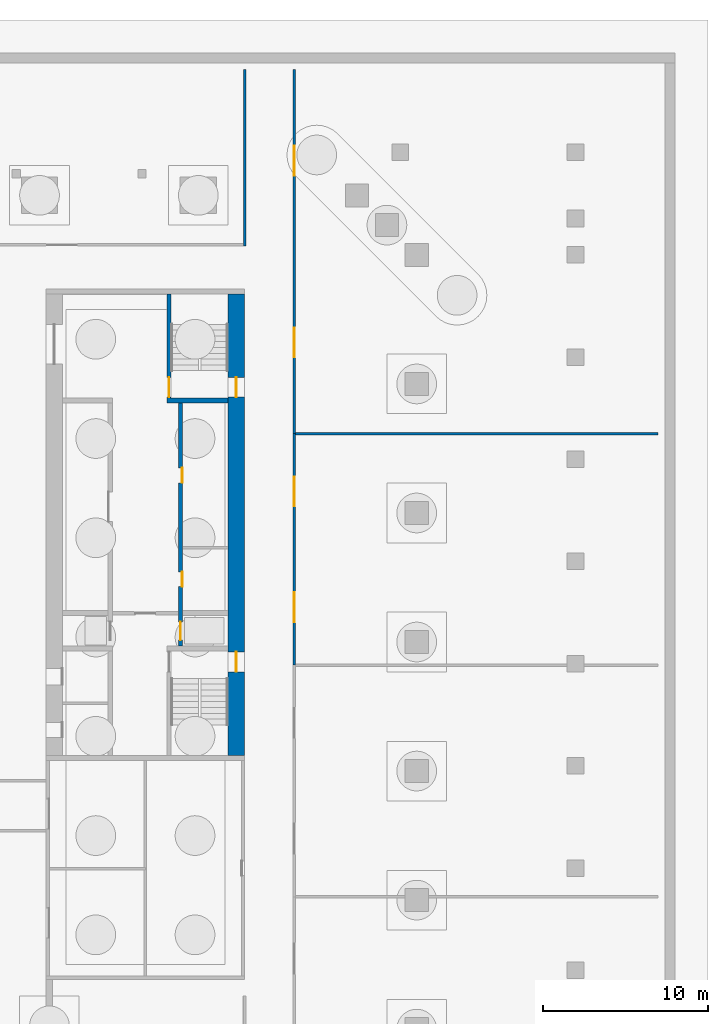
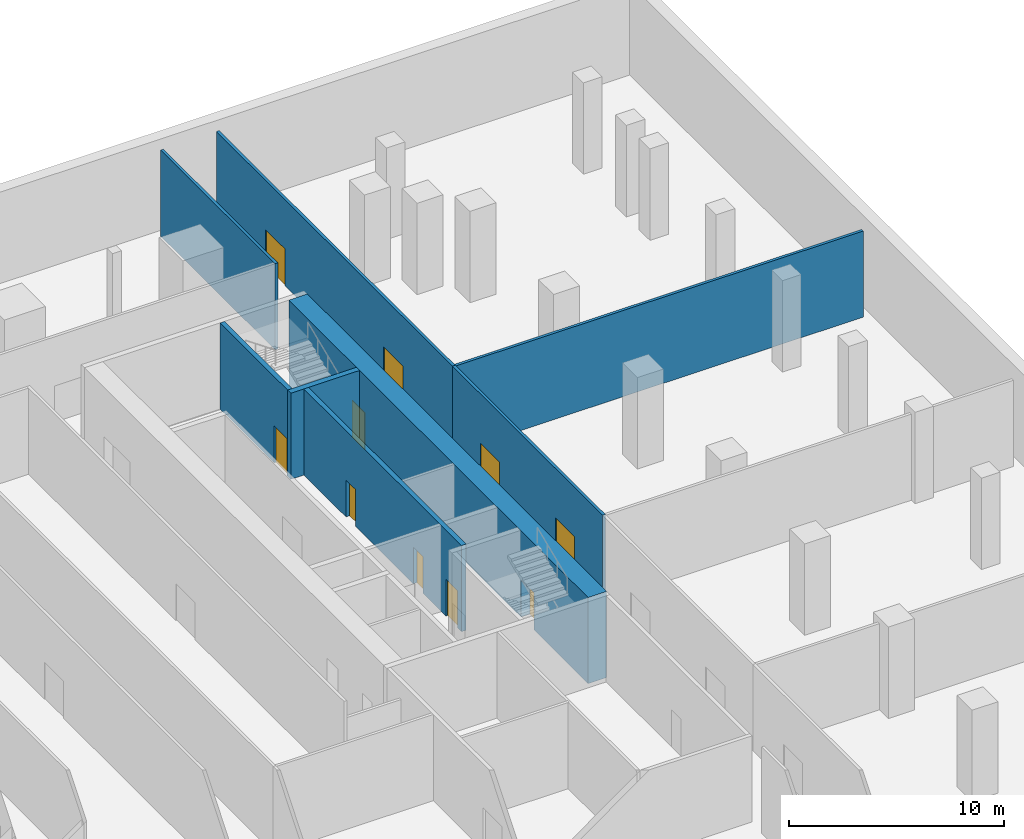
# One storey, part 11 of 14: 10 doors, 8 walls, 10 openings.
"""IFC4 building model written with IfcOpenShell, lengths in metres."""

from ifc_helpers import new_model, si_unit, direction, frame, frame_2d, origin, place, context, subcontext, project, spatial, rectangle, extrude, material, layer, layer_set, type_object, element, fill, save


model = new_model("IFC4")

# Units and contexts
model_context = context("Model", 3, precision=1e-05, world=origin(), true_north=direction((0.0, 1.0)))
body_context = subcontext(model_context, "Body", "Model", "MODEL_VIEW")
ifc_project = project(units=[si_unit("LENGTHUNIT", "METRE"), si_unit("AREAUNIT", "SQUARE_METRE"), si_unit("VOLUMEUNIT", "CUBIC_METRE"), si_unit("PLANEANGLEUNIT", "RADIAN"), si_unit("MASSUNIT", "GRAM", prefix="KILO")], contexts=[model_context])

# Site, building, storey
site_placement = place(None, origin())
site = spatial("IfcSite", under=ifc_project, at=site_placement, CompositionType="ELEMENT")
building_placement = place(site_placement, origin())
building = spatial("IfcBuilding", under=site, at=building_placement, Name="Ogive Exchange Tower", CompositionType="ELEMENT")
storey_placement = place(building_placement, frame((0.0, 0.0, -10.39990234375)))
storey = spatial("IfcBuildingStorey", under=building, at=storey_placement, Name="B2", CompositionType="ELEMENT", Elevation=-10.39990234375)

# Walls
ifc_material_1 = material(Name="Fire partition EI 60 150")
ifc_layer_1 = layer(ifc_material_1, 0.14990234375)
ifc_layer_set_1 = layer_set([ifc_layer_1], Name="Fire partition EI 60 150")
wall_type_1 = type_object("IfcWallType", Name="Fire partition EI 60 150", PredefinedType="PARTITIONING", material=ifc_layer_set_1)
wall_1_placement = place(storey_placement, frame((25.074951171875, 17.0, 0.0), z_axis=(0.0, 0.0, 1.0), x_axis=(1.0, 0.0, 0.0)))
element("IfcWall", 1, at=wall_1_placement, inside=storey, type_object=wall_type_1, Name="B2-PWL-032", PredefinedType="PARTITIONING", context=body_context, shape_type="SweptSolid", body=[
    extrude(rectangle(XDim=21.925048828125, YDim=0.14990234375, at=frame_2d((10.96240234375, 0.0))), origin(), (0.0, 0.0, 1.0), 4.89990234375),
])
wall_2_placement = place(storey_placement, frame((22.0, 28.324951171875, 0.0), z_axis=(0.0, 0.0, 1.0), x_axis=(0.0, 1.0, 0.0)))
element("IfcWall", 2, at=wall_2_placement, inside=storey, type_object=wall_type_1, Name="B2-PWL-066", PredefinedType="PARTITIONING", context=body_context, shape_type="SweptSolid", body=[
    extrude(rectangle(XDim=10.675048828125, YDim=0.14990234375, at=frame_2d((5.33740234375, 0.0))), origin(), (0.0, 0.0, 1.0), 4.89990234375),
])

# Wall, openings, doors
wall_3_placement = place(storey_placement, frame((25.0, 3.0, 0.0), z_axis=(0.0, 0.0, 1.0), x_axis=(0.0, 1.0, 0.0)))
wall_3 = element("IfcWall", 3, at=wall_3_placement, inside=storey, type_object=wall_type_1, Name="B2-PWL-073", PredefinedType="PARTITIONING", context=body_context, shape_type="SweptSolid", body=[
    extrude(rectangle(XDim=14.0, YDim=0.14990234375, at=frame_2d((7.0, 0.0))), origin(), (0.0, 0.0, 1.0), 4.89990234375),
])
opening_1_placement = place(wall_3_placement, frame((2.60009765625, 0.0, 0.0)))
opening_1 = element("IfcOpeningElement", 4, at=opening_1_placement, cuts=wall_3, Name="Opening B2-I16", PredefinedType="OPENING", context=body_context, shape_type="SweptSolid", body=[
    extrude(rectangle(XDim=1.800048828125, YDim=2.10009765625, at=frame_2d((0.89990234375, 1.050048828125))), frame((0.0, 0.0849609375, 0.0), z_axis=(0.0, -1.0, 0.0), x_axis=(1.0, 0.0, 0.0)), (0.0, 0.0, 1.0), 0.169921875),
])
opening_2_placement = place(wall_3_placement, frame((9.60009765625, 0.0, 0.0)))
opening_2 = element("IfcOpeningElement", 5, at=opening_2_placement, cuts=wall_3, Name="Opening B2-I17", PredefinedType="OPENING", context=body_context, shape_type="SweptSolid", body=[
    extrude(rectangle(XDim=1.800048828125, YDim=2.10009765625, at=frame_2d((0.89990234375, 1.050048828125))), frame((0.0, 0.0849609375, 0.0), z_axis=(0.0, -1.0, 0.0), x_axis=(1.0, 0.0, 0.0)), (0.0, 0.0, 1.0), 0.169921875),
])
ifc_material_2 = material(Name="Fire door FD 30S 1800 x 2100")
door_type_1 = type_object("IfcDoorType", Name="Fire door FD 30S 1800 x 2100", OperationType="DOUBLE_DOOR_SINGLE_SWING", PredefinedType="DOOR", material=ifc_material_2)
door_1_placement = place(opening_1_placement, origin())
door_1 = element("IfcDoor", 6, at=door_1_placement, inside=storey, type_object=door_type_1, Name="B2-IDR-016", ObjectType="DT4", OperationType="SINGLE_SWING_LEFT", OverallHeight=2.10009765625, OverallWidth=1.800048828125, PredefinedType="DOOR", context=body_context, shape_type="SweptSolid", body=[
    extrude(rectangle(XDim=1.800048828125, YDim=2.10009765625, at=frame_2d((0.89990234375, 1.050048828125))), frame((0.0, 0.02490234375, 0.0), z_axis=(0.0, -1.0, 0.0), x_axis=(1.0, 0.0, 0.0)), (0.0, 0.0, 1.0), 0.050048828125),
])
fill(opening_1, door_1)
door_2_placement = place(opening_2_placement, origin())
door_2 = element("IfcDoor", 7, at=door_2_placement, inside=storey, type_object=door_type_1, Name="B2-IDR-017", ObjectType="DT4", OperationType="SINGLE_SWING_LEFT", OverallHeight=2.10009765625, OverallWidth=1.800048828125, PredefinedType="DOOR", context=body_context, shape_type="SweptSolid", body=[
    extrude(rectangle(XDim=1.800048828125, YDim=2.10009765625, at=frame_2d((0.89990234375, 1.050048828125))), frame((0.0, 0.02490234375, 0.0), z_axis=(0.0, -1.0, 0.0), x_axis=(1.0, 0.0, 0.0)), (0.0, 0.0, 1.0), 0.050048828125),
])
fill(opening_2, door_2)

wall_4_placement = place(storey_placement, frame((25.0, 17.0, 0.0), z_axis=(0.0, 0.0, 1.0), x_axis=(0.0, 1.0, 0.0)))
wall_4 = element("IfcWall", 8, at=wall_4_placement, inside=storey, type_object=wall_type_1, Name="B2-PWL-074", PredefinedType="PARTITIONING", context=body_context, shape_type="SweptSolid", body=[
    extrude(rectangle(XDim=22.0, YDim=0.14990234375, at=frame_2d((11.0, 0.0))), origin(), (0.0, 0.0, 1.0), 4.89990234375),
])
opening_3_placement = place(wall_4_placement, frame((4.60009765625, 0.0, 0.0)))
opening_3 = element("IfcOpeningElement", 9, at=opening_3_placement, cuts=wall_4, Name="Opening B2-I18", PredefinedType="OPENING", context=body_context, shape_type="SweptSolid", body=[
    extrude(rectangle(XDim=1.800048828125, YDim=2.10009765625, at=frame_2d((0.89990234375, 1.050048828125))), frame((0.0, 0.0849609375, 0.0), z_axis=(0.0, -1.0, 0.0), x_axis=(1.0, 0.0, 0.0)), (0.0, 0.0, 1.0), 0.169921875),
])
opening_4_placement = place(wall_4_placement, frame((15.60009765625, 0.0, 0.0)))
opening_4 = element("IfcOpeningElement", 10, at=opening_4_placement, cuts=wall_4, Name="Opening B2-I19", PredefinedType="OPENING", context=body_context, shape_type="SweptSolid", body=[
    extrude(rectangle(XDim=1.800048828125, YDim=2.10009765625, at=frame_2d((0.89990234375, 1.050048828125))), frame((0.0, 0.0849609375, 0.0), z_axis=(0.0, -1.0, 0.0), x_axis=(1.0, 0.0, 0.0)), (0.0, 0.0, 1.0), 0.169921875),
])
door_3_placement = place(opening_3_placement, origin())
door_3 = element("IfcDoor", 11, at=door_3_placement, inside=storey, type_object=door_type_1, Name="B2-IDR-018", ObjectType="DT4", OperationType="SINGLE_SWING_RIGHT", OverallHeight=2.10009765625, OverallWidth=1.800048828125, PredefinedType="DOOR", context=body_context, shape_type="SweptSolid", body=[
    extrude(rectangle(XDim=1.800048828125, YDim=2.10009765625, at=frame_2d((0.89990234375, 1.050048828125))), frame((0.0, 0.02490234375, 0.0), z_axis=(0.0, -1.0, 0.0), x_axis=(1.0, 0.0, 0.0)), (0.0, 0.0, 1.0), 0.050048828125),
])
fill(opening_3, door_3)
door_4_placement = place(opening_4_placement, origin())
door_4 = element("IfcDoor", 12, at=door_4_placement, inside=storey, type_object=door_type_1, Name="B2-IDR-019", ObjectType="DT4", OperationType="SINGLE_SWING_RIGHT", OverallHeight=2.10009765625, OverallWidth=1.800048828125, PredefinedType="DOOR", context=body_context, shape_type="SweptSolid", body=[
    extrude(rectangle(XDim=1.800048828125, YDim=2.10009765625, at=frame_2d((0.89990234375, 1.050048828125))), frame((0.0, 0.02490234375, 0.0), z_axis=(0.0, -1.0, 0.0), x_axis=(1.0, 0.0, 0.0)), (0.0, 0.0, 1.0), 0.050048828125),
])
fill(opening_4, door_4)

ifc_material_3 = material(Name="Concrete C70/85", Category="concrete")
ifc_layer_2 = layer(ifc_material_3, 1.0)
ifc_layer_set_2 = layer_set([ifc_layer_2], Name="RC core wall 1000 C70/85")
wall_type_2 = type_object("IfcWallType", Name="RC core wall 1000 C70/85", PredefinedType="SHEAR", material=ifc_layer_set_2)
wall_5_placement = place(storey_placement, frame((21.5, -2.449951171875, 0.0), z_axis=(0.0, 0.0, 1.0), x_axis=(0.0, 1.0, 0.0)))
wall_5 = element("IfcWall", 13, at=wall_5_placement, inside=storey, type_object=wall_type_2, Name="E outer wall", PredefinedType="SHEAR", context=body_context, shape_type="SweptSolid", body=[
    extrude(rectangle(XDim=27.89990234375, YDim=1.0, at=frame_2d((13.949951171875, 0.0))), origin(), (0.0, 0.0, 1.0), 4.89990234375),
])
opening_5_placement = place(wall_5_placement, frame((5.050048828125, 0.0, 0.0)))
opening_5 = element("IfcOpeningElement", 14, at=opening_5_placement, cuts=wall_5, Name="Opening B2-C24", PredefinedType="OPENING", context=body_context, shape_type="SweptSolid", body=[
    extrude(rectangle(XDim=1.199951171875, YDim=2.10009765625, at=frame_2d((0.60009765625, 1.050048828125))), frame((0.0, 0.510009765625, 0.0), z_axis=(0.0, -1.0, 0.0), x_axis=(1.0, 0.0, 0.0)), (0.0, 0.0, 1.0), 1.02001953125),
])
opening_6_placement = place(wall_5_placement, frame((21.64990234375, 0.0, 0.0)))
opening_6 = element("IfcOpeningElement", 15, at=opening_6_placement, cuts=wall_5, Name="Opening B2-C26", PredefinedType="OPENING", context=body_context, shape_type="SweptSolid", body=[
    extrude(rectangle(XDim=1.199951171875, YDim=2.10009765625, at=frame_2d((0.60009765625, 1.050048828125))), frame((0.0, 0.510009765625, 0.0), z_axis=(0.0, -1.0, 0.0), x_axis=(1.0, 0.0, 0.0)), (0.0, 0.0, 1.0), 1.02001953125),
])
ifc_material_4 = material(Name="Steel fire door", Category="steel")
door_type_2 = type_object("IfcDoorType", Name="Stair door FD90 1200 x 2100", OperationType="NOTDEFINED", PredefinedType="DOOR", material=ifc_material_4)
door_5_placement = place(opening_5_placement, origin())
door_5 = element("IfcDoor", 16, at=door_5_placement, inside=storey, type_object=door_type_2, Name="Stair door", ObjectType="CD5", OperationType="SINGLE_SWING_LEFT", OverallHeight=2.10009765625, OverallWidth=1.199951171875, PredefinedType="DOOR", context=body_context, shape_type="SweptSolid", body=[
    extrude(rectangle(XDim=1.199951171875, YDim=2.10009765625, at=frame_2d((0.60009765625, 1.050048828125))), frame((0.0, 0.02490234375, 0.0), z_axis=(0.0, -1.0, 0.0), x_axis=(1.0, 0.0, 0.0)), (0.0, 0.0, 1.0), 0.050048828125),
])
fill(opening_5, door_5)
door_6_placement = place(opening_6_placement, origin())
door_6 = element("IfcDoor", 17, at=door_6_placement, inside=storey, type_object=door_type_2, Name="Stair door", ObjectType="CD5", OperationType="SINGLE_SWING_RIGHT", OverallHeight=2.10009765625, OverallWidth=1.199951171875, PredefinedType="DOOR", context=body_context, shape_type="SweptSolid", body=[
    extrude(rectangle(XDim=1.199951171875, YDim=2.10009765625, at=frame_2d((0.60009765625, 1.050048828125))), frame((0.0, 0.02490234375, 0.0), z_axis=(0.0, -1.0, 0.0), x_axis=(1.0, 0.0, 0.0)), (0.0, 0.0, 1.0), 0.050048828125),
])
fill(opening_6, door_6)

# Wall, opening, door
ifc_layer_3 = layer(ifc_material_3, 0.25)
ifc_layer_set_3 = layer_set([ifc_layer_3], Name="RC core wall 250 C70/85")
wall_type_3 = type_object("IfcWallType", Name="RC core wall 250 C70/85", PredefinedType="SHEAR", material=ifc_layer_set_3)
wall_6_placement = place(storey_placement, frame((17.425048828125, 19.14990234375, 0.0), z_axis=(0.0, 0.0, 1.0), x_axis=(0.0, 1.0, 0.0)))
wall_6 = element("IfcWall", 18, at=wall_6_placement, inside=storey, type_object=wall_type_3, Name="E stair N front wall", PredefinedType="SHEAR", context=body_context, shape_type="SweptSolid", body=[
    extrude(rectangle(XDim=6.300048828125, YDim=0.25, at=frame_2d((3.14990234375, 0.0))), origin(), (0.0, 0.0, 1.0), 4.89990234375),
])
opening_7_placement = place(wall_6_placement, frame((0.050048828125, 0.0, 0.0)))
opening_7 = element("IfcOpeningElement", 19, at=opening_7_placement, cuts=wall_6, Name="Opening B2-C25", PredefinedType="OPENING", context=body_context, shape_type="SweptSolid", body=[
    extrude(rectangle(XDim=1.199951171875, YDim=2.10009765625, at=frame_2d((0.60009765625, 1.050048828125))), frame((0.0, 0.135009765625, 0.0), z_axis=(0.0, -1.0, 0.0), x_axis=(1.0, 0.0, 0.0)), (0.0, 0.0, 1.0), 0.27001953125),
])
door_7_placement = place(opening_7_placement, frame((1.199951171875, 0.0, 0.0), z_axis=(0.0, 0.0, 1.0), x_axis=(-1.0, 0.0, 0.0)))
door_7 = element("IfcDoor", 20, at=door_7_placement, inside=storey, type_object=door_type_2, Name="Stair door", ObjectType="CD5", OperationType="SINGLE_SWING_LEFT", OverallHeight=2.10009765625, OverallWidth=1.199951171875, PredefinedType="DOOR", context=body_context, shape_type="SweptSolid", body=[
    extrude(rectangle(XDim=1.199951171875, YDim=2.10009765625, at=frame_2d((0.60009765625, 1.050048828125))), frame((0.0, 0.02490234375, 0.0), z_axis=(0.0, -1.0, 0.0), x_axis=(1.0, 0.0, 0.0)), (0.0, 0.0, 1.0), 0.050048828125),
])
fill(opening_7, door_7)

# Wall, openings, doors
wall_7_placement = place(storey_placement, frame((18.125, 4.14990234375, 0.0), z_axis=(0.0, 0.0, 1.0), x_axis=(0.0, 1.0, 0.0)))
wall_7 = element("IfcWall", 21, at=wall_7_placement, inside=storey, type_object=wall_type_3, Name="E row A front wall", PredefinedType="SHEAR", context=body_context, shape_type="SweptSolid", body=[
    extrude(rectangle(XDim=14.7001953125, YDim=0.25, at=frame_2d((7.35009765625, 0.0))), origin(), (0.0, 0.0, 1.0), 4.89990234375),
])
opening_8_placement = place(wall_7_placement, frame((3.596435546875, 0.0, 0.0)))
opening_8 = element("IfcOpeningElement", 22, at=opening_8_placement, cuts=wall_7, Name="Opening B2-C16", PredefinedType="OPENING", context=body_context, shape_type="SweptSolid", body=[
    extrude(rectangle(XDim=0.89990234375, YDim=2.10009765625, at=frame_2d((0.449951171875, 1.050048828125))), frame((0.0, 0.135009765625, 0.0), z_axis=(0.0, -1.0, 0.0), x_axis=(1.0, 0.0, 0.0)), (0.0, 0.0, 1.0), 0.27001953125),
])
opening_9_placement = place(wall_7_placement, frame((9.875, 0.0, 0.0)))
opening_9 = element("IfcOpeningElement", 23, at=opening_9_placement, cuts=wall_7, Name="Opening B2-C17", PredefinedType="OPENING", context=body_context, shape_type="SweptSolid", body=[
    extrude(rectangle(XDim=0.89990234375, YDim=2.10009765625, at=frame_2d((0.449951171875, 1.050048828125))), frame((0.0, 0.135009765625, 0.0), z_axis=(0.0, -1.0, 0.0), x_axis=(1.0, 0.0, 0.0)), (0.0, 0.0, 1.0), 0.27001953125),
])
opening_10_placement = place(wall_7_placement, frame((0.371337890625, 0.0, 0.0)))
opening_10 = element("IfcOpeningElement", 24, at=opening_10_placement, cuts=wall_7, Name="Opening B2-C18", PredefinedType="OPENING", context=body_context, shape_type="SweptSolid", body=[
    extrude(rectangle(XDim=1.10009765625, YDim=2.10009765625, at=frame_2d((0.550048828125, 1.050048828125))), frame((0.0, 0.135009765625, 0.0), z_axis=(0.0, -1.0, 0.0), x_axis=(1.0, 0.0, 0.0)), (0.0, 0.0, 1.0), 0.27001953125),
])
ifc_material_5 = material(Name="Stainless steel", Category="steel")
door_type_3 = type_object("IfcDoorType", Name="Lift landing door FD90 1100 x 2100", OperationType="SLIDING_TO_LEFT", PredefinedType="DOOR", material=ifc_material_5)
door_8_placement = place(opening_10_placement, origin())
door_8 = element("IfcDoor", 25, at=door_8_placement, inside=storey, type_object=door_type_3, Name="Lift landing door FF2", ObjectType="LD", OperationType="SLIDING_TO_LEFT", OverallHeight=2.10009765625, OverallWidth=1.10009765625, PredefinedType="DOOR", context=body_context, shape_type="SweptSolid", body=[
    extrude(rectangle(XDim=1.10009765625, YDim=2.10009765625, at=frame_2d((0.550048828125, 1.050048828125))), frame((0.0, 0.02490234375, 0.0), z_axis=(0.0, -1.0, 0.0), x_axis=(1.0, 0.0, 0.0)), (0.0, 0.0, 1.0), 0.050048828125),
])
fill(opening_10, door_8)
door_type_4 = type_object("IfcDoorType", Name="Riser door FD60 900 x 2100", OperationType="NOTDEFINED", PredefinedType="DOOR", material=ifc_material_4)
door_9_placement = place(opening_8_placement, frame((0.89990234375, -0.2001953125, 0.0), z_axis=(0.0, 0.0, 1.0), x_axis=(-1.0, 0.0, 0.0)))
door_9 = element("IfcDoor", 26, at=door_9_placement, inside=storey, type_object=door_type_4, Name="Riser door", ObjectType="CD2", OperationType="SINGLE_SWING_RIGHT", OverallHeight=2.10009765625, OverallWidth=0.89990234375, PredefinedType="DOOR", context=body_context, shape_type="SweptSolid", body=[
    extrude(rectangle(XDim=0.89990234375, YDim=2.10009765625, at=frame_2d((0.449951171875, 1.050048828125))), frame((0.0, -0.0751953125, 0.0), z_axis=(0.0, -1.0, 0.0), x_axis=(1.0, 0.0, 0.0)), (0.0, 0.0, 1.0), 0.050048828125),
])
fill(opening_8, door_9)
door_10_placement = place(opening_9_placement, frame((0.89990234375, -0.2001953125, 0.0), z_axis=(0.0, 0.0, 1.0), x_axis=(-1.0, 0.0, 0.0)))
door_10 = element("IfcDoor", 27, at=door_10_placement, inside=storey, type_object=door_type_4, Name="Riser door", ObjectType="CD2", OperationType="SINGLE_SWING_RIGHT", OverallHeight=2.10009765625, OverallWidth=0.89990234375, PredefinedType="DOOR", context=body_context, shape_type="SweptSolid", body=[
    extrude(rectangle(XDim=0.89990234375, YDim=2.10009765625, at=frame_2d((0.449951171875, 1.050048828125))), frame((0.0, -0.0751953125, 0.0), z_axis=(0.0, -1.0, 0.0), x_axis=(1.0, 0.0, 0.0)), (0.0, 0.0, 1.0), 0.050048828125),
])
fill(opening_9, door_10)

# Wall
ifc_layer_4 = layer(ifc_material_3, 0.300048828125)
ifc_layer_set_4 = layer_set([ifc_layer_4], Name="RC core wall 300 C70/85")
wall_type_4 = type_object("IfcWallType", Name="RC core wall 300 C70/85", PredefinedType="SHEAR", material=ifc_layer_set_4)
wall_8_placement = place(storey_placement, frame((17.300048828125, 19.0, 0.0), z_axis=(0.0, 0.0, 1.0), x_axis=(1.0, 0.0, 0.0)))
element("IfcWall", 28, at=wall_8_placement, inside=storey, type_object=wall_type_4, Name="E stair N south wall", PredefinedType="SHEAR", context=body_context, shape_type="SweptSolid", body=[
    extrude(rectangle(XDim=3.699951171875, YDim=0.300048828125, at=frame_2d((1.85009765625, 0.0))), origin(), (0.0, 0.0, 1.0), 4.89990234375),
])

save(model, "model.ifc")
